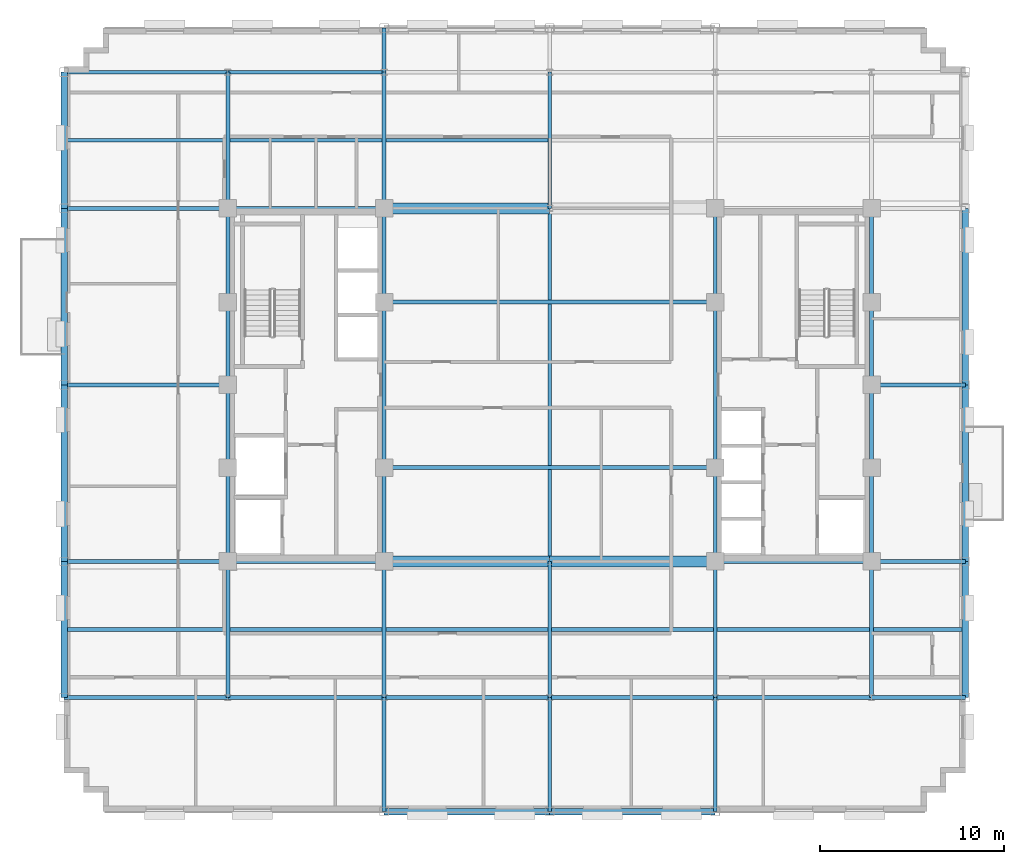
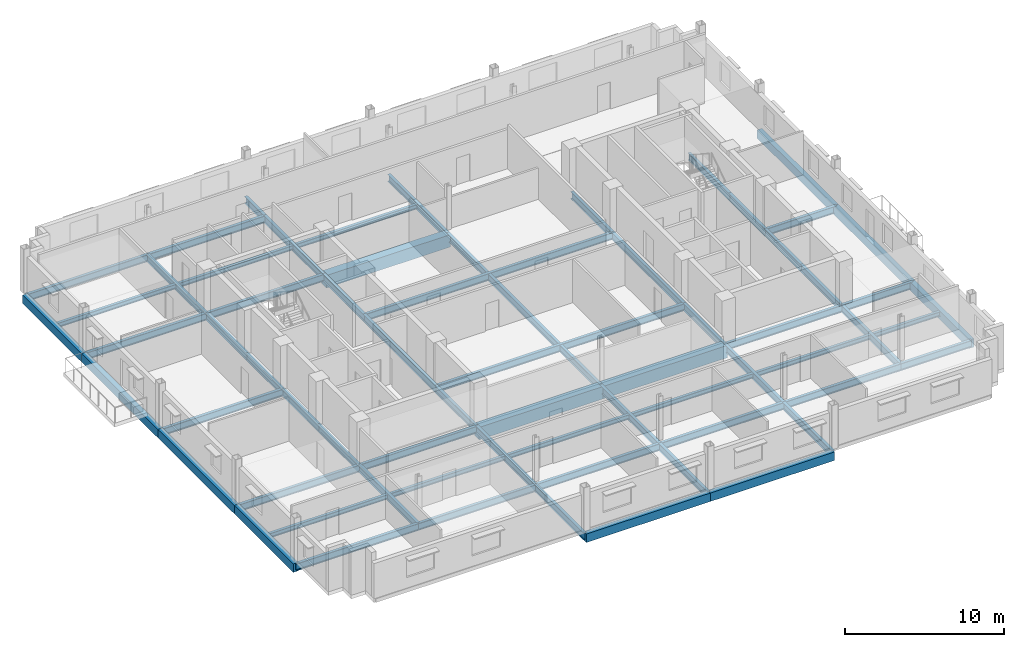
# One storey, part 5 of 15: 66 beams.
"""IFC4 building model written with IfcOpenShell, lengths in metres."""

from ifc_helpers import new_model, si_unit, direction, frame, origin, origin_2d, place, context, subcontext, project, spatial, rectangle, i_section, extrude, material, material_profile, profile_set, type_object, element, save


model = new_model("IFC4")

# Units and contexts
model_context = context("Model", 3, precision=1e-05, world=origin(), true_north=direction((0.0, 1.0)))
body_context = subcontext(model_context, "Body", "Model", "MODEL_VIEW")
ifc_project = project(units=[si_unit("LENGTHUNIT", "METRE"), si_unit("AREAUNIT", "SQUARE_METRE"), si_unit("VOLUMEUNIT", "CUBIC_METRE"), si_unit("PLANEANGLEUNIT", "RADIAN"), si_unit("MASSUNIT", "GRAM", prefix="KILO")], contexts=[model_context])

# Site, building, storey
site_placement = place(None, origin())
site = spatial("IfcSite", under=ifc_project, at=site_placement, CompositionType="ELEMENT")
building_placement = place(site_placement, origin())
building = spatial("IfcBuilding", under=site, at=building_placement, Name="Nuvemarco Arch Tower", CompositionType="ELEMENT")
storey_placement = place(building_placement, frame((0.0, 0.0, 194.550048828125)))
storey = spatial("IfcBuildingStorey", under=building, at=storey_placement, Name="L51", CompositionType="ELEMENT", Elevation=194.550048828125)

# Beams
ifc_material_1 = material(Name="Concrete C60/75", Category="concrete")
ifc_material_profile_1 = material_profile(ifc_material_1, rectangle(XDim=0.60009765625, YDim=0.949951171875, at=origin_2d()), Name="RC-BM-600x950")
ifc_profile_set_1 = profile_set([ifc_material_profile_1], Name="Concrete C60/75")
beam_type_1 = type_object("IfcBeamType", Name="BM-COUP-RC", PredefinedType="LINTEL", material=ifc_profile_set_1)
for number, where, z_axis, x_axis, name in (
    (1, (-9.0, -9.60009765625, -0.755126953125), (1.0, 0.0, 0.0), (0.0, 1.0, 0.0), "L51 structural beam BGEW_L51_0_-9.6_-9.0"),
    (2, (0.0, -9.60009765625, -0.755126953125), (1.0, 0.0, 0.0), (0.0, 1.0, 0.0), "L51 structural beam BGEW_L51_0_-9.6_+0.0"),
    (3, (-9.0, 9.60009765625, -0.755126953125), (1.0, 0.0, 0.0), (0.0, 1.0, 0.0), "L51 structural beam BGEW_L51_0_+9.6_-9.0"),
):
    element("IfcBeam", number, at=place(storey_placement, frame(where, z_axis=z_axis, x_axis=x_axis)), inside=storey, type_object=beam_type_1, Name=name, PredefinedType="LINTEL", context=body_context, shape_type="SweptSolid", body=[
        extrude(rectangle(XDim=0.60009765625, YDim=0.949951171875, at=origin_2d()), origin(), (0.0, 0.0, 1.0), 9.0),
    ])
ifc_material_2 = material(Name="Steel S355", Category="steel")
ifc_material_profile_2 = material_profile(ifc_material_2, i_section(OverallWidth=0.2109375, OverallDepth=0.5390625, WebThickness=0.01171875, FlangeThickness=0.018798828125, FilletRadius=0.01611328125, at=origin_2d()), Name="W530x109")
ifc_profile_set_2 = profile_set([ifc_material_profile_2], Name="Steel S355")
beam_type_2 = type_object("IfcBeamType", Name="BM-GIRD-530", PredefinedType="BEAM", material=ifc_profile_set_2)
beam_1_placement = place(storey_placement, frame((-17.5, -17.0, -0.549560546875), z_axis=(0.0, 1.0, 0.0), x_axis=(-1.0, 0.0, 0.0)))
element("IfcBeam", 4, at=beam_1_placement, inside=storey, type_object=beam_type_2, Name="L51 structural beam BGNS_L51_0_-17.5_-17.0", PredefinedType="BEAM", context=body_context, shape_type="SweptSolid", body=[
    extrude(i_section(OverallWidth=0.2109375, OverallDepth=0.5390625, WebThickness=0.01171875, FlangeThickness=0.018798828125, FilletRadius=0.01611328125, at=origin_2d()), origin(), (0.0, 0.0, 1.0), 7.39990234375),
])
beam_2_placement = place(storey_placement, frame((-17.5, -9.60009765625, -0.549560546875), z_axis=(0.0, 1.0, 0.0), x_axis=(-1.0, 0.0, 0.0)))
element("IfcBeam", 5, at=beam_2_placement, inside=storey, type_object=beam_type_2, Name="L51 structural beam BGNS_L51_0_-17.5_-9.6", PredefinedType="BEAM", context=body_context, shape_type="SweptSolid", body=[
    extrude(i_section(OverallWidth=0.2109375, OverallDepth=0.5390625, WebThickness=0.01171875, FlangeThickness=0.018798828125, FilletRadius=0.01611328125, at=origin_2d()), origin(), (0.0, 0.0, 1.0), 5.10009765625),
])
for number, where, z_axis, x_axis, name in (
    (6, (-17.5, -4.5, -0.549560546875), (0.0, 1.0, 0.0), (-1.0, 0.0, 0.0), "L51 structural beam BGNS_L51_0_-17.5_-4.5"),
    (7, (-17.5, 0.0, -0.549560546875), (0.0, 1.0, 0.0), (-1.0, 0.0, 0.0), "L51 structural beam BGNS_L51_0_-17.5_+0.0"),
):
    element("IfcBeam", number, at=place(storey_placement, frame(where, z_axis=z_axis, x_axis=x_axis)), inside=storey, type_object=beam_type_2, Name=name, PredefinedType="BEAM", context=body_context, shape_type="SweptSolid", body=[
        extrude(i_section(OverallWidth=0.2109375, OverallDepth=0.5390625, WebThickness=0.01171875, FlangeThickness=0.018798828125, FilletRadius=0.01611328125, at=origin_2d()), origin(), (0.0, 0.0, 1.0), 4.5),
    ])
beam_3_placement = place(storey_placement, frame((-17.5, 4.5, -0.549560546875), z_axis=(0.0, 1.0, 0.0), x_axis=(-1.0, 0.0, 0.0)))
element("IfcBeam", 8, at=beam_3_placement, inside=storey, type_object=beam_type_2, Name="L51 structural beam BGNS_L51_0_-17.5_+4.5", PredefinedType="BEAM", context=body_context, shape_type="SweptSolid", body=[
    extrude(i_section(OverallWidth=0.2109375, OverallDepth=0.5390625, WebThickness=0.01171875, FlangeThickness=0.018798828125, FilletRadius=0.01611328125, at=origin_2d()), origin(), (0.0, 0.0, 1.0), 5.10009765625),
])
beam_4_placement = place(storey_placement, frame((-17.5, 9.60009765625, -0.549560546875), z_axis=(0.0, 1.0, 0.0), x_axis=(-1.0, 0.0, 0.0)))
element("IfcBeam", 9, at=beam_4_placement, inside=storey, type_object=beam_type_2, Name="L51 structural beam BGNS_L51_0_-17.5_+9.6", PredefinedType="BEAM", context=body_context, shape_type="SweptSolid", body=[
    extrude(i_section(OverallWidth=0.2109375, OverallDepth=0.5390625, WebThickness=0.01171875, FlangeThickness=0.018798828125, FilletRadius=0.01611328125, at=origin_2d()), origin(), (0.0, 0.0, 1.0), 7.39990234375),
])
beam_5_placement = place(storey_placement, frame((-9.0, -23.199951171875, -0.549560546875), z_axis=(0.0, 1.0, 0.0), x_axis=(-1.0, 0.0, 0.0)))
element("IfcBeam", 10, at=beam_5_placement, inside=storey, type_object=beam_type_2, Name="L51 structural beam BGNS_L51_0_-9.0_-23.2", PredefinedType="BEAM", context=body_context, shape_type="SweptSolid", body=[
    extrude(i_section(OverallWidth=0.2109375, OverallDepth=0.5390625, WebThickness=0.01171875, FlangeThickness=0.018798828125, FilletRadius=0.01611328125, at=origin_2d()), origin(), (0.0, 0.0, 1.0), 6.199951171875),
])
beam_6_placement = place(storey_placement, frame((-9.0, -17.0, -0.549560546875), z_axis=(0.0, 1.0, 0.0), x_axis=(-1.0, 0.0, 0.0)))
element("IfcBeam", 11, at=beam_6_placement, inside=storey, type_object=beam_type_2, Name="L51 structural beam BGNS_L51_0_-9.0_-17.0", PredefinedType="BEAM", context=body_context, shape_type="SweptSolid", body=[
    extrude(i_section(OverallWidth=0.2109375, OverallDepth=0.5390625, WebThickness=0.01171875, FlangeThickness=0.018798828125, FilletRadius=0.01611328125, at=origin_2d()), origin(), (0.0, 0.0, 1.0), 7.39990234375),
])
beam_7_placement = place(storey_placement, frame((-9.0, -9.60009765625, -0.549560546875), z_axis=(0.0, 1.0, 0.0), x_axis=(-1.0, 0.0, 0.0)))
element("IfcBeam", 12, at=beam_7_placement, inside=storey, type_object=beam_type_2, Name="L51 structural beam BGNS_L51_0_-9.0_-9.6", PredefinedType="BEAM", context=body_context, shape_type="SweptSolid", body=[
    extrude(i_section(OverallWidth=0.2109375, OverallDepth=0.5390625, WebThickness=0.01171875, FlangeThickness=0.018798828125, FilletRadius=0.01611328125, at=origin_2d()), origin(), (0.0, 0.0, 1.0), 5.10009765625),
])
beam_8_placement = place(storey_placement, frame((-9.0, -4.5, -0.549560546875), z_axis=(0.0, 1.0, 0.0), x_axis=(-1.0, 0.0, 0.0)))
element("IfcBeam", 13, at=beam_8_placement, inside=storey, type_object=beam_type_2, Name="L51 structural beam BGNS_L51_0_-9.0_-4.5", PredefinedType="BEAM", context=body_context, shape_type="SweptSolid", body=[
    extrude(i_section(OverallWidth=0.2109375, OverallDepth=0.5390625, WebThickness=0.01171875, FlangeThickness=0.018798828125, FilletRadius=0.01611328125, at=origin_2d()), origin(), (0.0, 0.0, 1.0), 9.0),
])
beam_9_placement = place(storey_placement, frame((-9.0, 4.5, -0.549560546875), z_axis=(0.0, 1.0, 0.0), x_axis=(-1.0, 0.0, 0.0)))
element("IfcBeam", 14, at=beam_9_placement, inside=storey, type_object=beam_type_2, Name="L51 structural beam BGNS_L51_0_-9.0_+4.5", PredefinedType="BEAM", context=body_context, shape_type="SweptSolid", body=[
    extrude(i_section(OverallWidth=0.2109375, OverallDepth=0.5390625, WebThickness=0.01171875, FlangeThickness=0.018798828125, FilletRadius=0.01611328125, at=origin_2d()), origin(), (0.0, 0.0, 1.0), 5.10009765625),
])
beam_10_placement = place(storey_placement, frame((-9.0, 9.60009765625, -0.549560546875), z_axis=(0.0, 1.0, 0.0), x_axis=(-1.0, 0.0, 0.0)))
element("IfcBeam", 15, at=beam_10_placement, inside=storey, type_object=beam_type_2, Name="L51 structural beam BGNS_L51_0_-9.0_+9.6", PredefinedType="BEAM", context=body_context, shape_type="SweptSolid", body=[
    extrude(i_section(OverallWidth=0.2109375, OverallDepth=0.5390625, WebThickness=0.01171875, FlangeThickness=0.018798828125, FilletRadius=0.01611328125, at=origin_2d()), origin(), (0.0, 0.0, 1.0), 7.39990234375),
])
beam_11_placement = place(storey_placement, frame((-9.0, 17.0, -0.549560546875), z_axis=(0.0, 1.0, 0.0), x_axis=(-1.0, 0.0, 0.0)))
element("IfcBeam", 16, at=beam_11_placement, inside=storey, type_object=beam_type_2, Name="L51 structural beam BGNS_L51_0_-9.0_+17.0", PredefinedType="BEAM", context=body_context, shape_type="SweptSolid", body=[
    extrude(i_section(OverallWidth=0.2109375, OverallDepth=0.5390625, WebThickness=0.01171875, FlangeThickness=0.018798828125, FilletRadius=0.01611328125, at=origin_2d()), origin(), (0.0, 0.0, 1.0), 2.39990234375),
])
beam_12_placement = place(storey_placement, frame((0.0, -23.199951171875, -0.549560546875), z_axis=(0.0, 1.0, 0.0), x_axis=(-1.0, 0.0, 0.0)))
element("IfcBeam", 17, at=beam_12_placement, inside=storey, type_object=beam_type_2, Name="L51 structural beam BGNS_L51_0_+0.0_-23.2", PredefinedType="BEAM", context=body_context, shape_type="SweptSolid", body=[
    extrude(i_section(OverallWidth=0.2109375, OverallDepth=0.5390625, WebThickness=0.01171875, FlangeThickness=0.018798828125, FilletRadius=0.01611328125, at=origin_2d()), origin(), (0.0, 0.0, 1.0), 6.199951171875),
])
beam_13_placement = place(storey_placement, frame((0.0, -17.0, -0.549560546875), z_axis=(0.0, 1.0, 0.0), x_axis=(-1.0, 0.0, 0.0)))
element("IfcBeam", 18, at=beam_13_placement, inside=storey, type_object=beam_type_2, Name="L51 structural beam BGNS_L51_0_+0.0_-17.0", PredefinedType="BEAM", context=body_context, shape_type="SweptSolid", body=[
    extrude(i_section(OverallWidth=0.2109375, OverallDepth=0.5390625, WebThickness=0.01171875, FlangeThickness=0.018798828125, FilletRadius=0.01611328125, at=origin_2d()), origin(), (0.0, 0.0, 1.0), 7.39990234375),
])
beam_14_placement = place(storey_placement, frame((0.0, -9.60009765625, -0.549560546875), z_axis=(0.0, 1.0, 0.0), x_axis=(-1.0, 0.0, 0.0)))
element("IfcBeam", 19, at=beam_14_placement, inside=storey, type_object=beam_type_2, Name="L51 structural beam BGNS_L51_0_+0.0_-9.6", PredefinedType="BEAM", context=body_context, shape_type="SweptSolid", body=[
    extrude(i_section(OverallWidth=0.2109375, OverallDepth=0.5390625, WebThickness=0.01171875, FlangeThickness=0.018798828125, FilletRadius=0.01611328125, at=origin_2d()), origin(), (0.0, 0.0, 1.0), 19.2001953125),
])
beam_15_placement = place(storey_placement, frame((0.0, 9.60009765625, -0.549560546875), z_axis=(0.0, 1.0, 0.0), x_axis=(-1.0, 0.0, 0.0)))
element("IfcBeam", 20, at=beam_15_placement, inside=storey, type_object=beam_type_2, Name="L51 structural beam BGNS_L51_0_+0.0_+9.6", PredefinedType="BEAM", context=body_context, shape_type="SweptSolid", body=[
    extrude(i_section(OverallWidth=0.2109375, OverallDepth=0.5390625, WebThickness=0.01171875, FlangeThickness=0.018798828125, FilletRadius=0.01611328125, at=origin_2d()), origin(), (0.0, 0.0, 1.0), 7.39990234375),
])
beam_16_placement = place(storey_placement, frame((9.0, -23.199951171875, -0.549560546875), z_axis=(0.0, 1.0, 0.0), x_axis=(-1.0, 0.0, 0.0)))
element("IfcBeam", 21, at=beam_16_placement, inside=storey, type_object=beam_type_2, Name="L51 structural beam BGNS_L51_0_+9.0_-23.2", PredefinedType="BEAM", context=body_context, shape_type="SweptSolid", body=[
    extrude(i_section(OverallWidth=0.2109375, OverallDepth=0.5390625, WebThickness=0.01171875, FlangeThickness=0.018798828125, FilletRadius=0.01611328125, at=origin_2d()), origin(), (0.0, 0.0, 1.0), 6.199951171875),
])
beam_17_placement = place(storey_placement, frame((9.0, -17.0, -0.549560546875), z_axis=(0.0, 1.0, 0.0), x_axis=(-1.0, 0.0, 0.0)))
element("IfcBeam", 22, at=beam_17_placement, inside=storey, type_object=beam_type_2, Name="L51 structural beam BGNS_L51_0_+9.0_-17.0", PredefinedType="BEAM", context=body_context, shape_type="SweptSolid", body=[
    extrude(i_section(OverallWidth=0.2109375, OverallDepth=0.5390625, WebThickness=0.01171875, FlangeThickness=0.018798828125, FilletRadius=0.01611328125, at=origin_2d()), origin(), (0.0, 0.0, 1.0), 7.39990234375),
])
beam_18_placement = place(storey_placement, frame((9.0, -9.60009765625, -0.549560546875), z_axis=(0.0, 1.0, 0.0), x_axis=(-1.0, 0.0, 0.0)))
element("IfcBeam", 23, at=beam_18_placement, inside=storey, type_object=beam_type_2, Name="L51 structural beam BGNS_L51_0_+9.0_-9.6", PredefinedType="BEAM", context=body_context, shape_type="SweptSolid", body=[
    extrude(i_section(OverallWidth=0.2109375, OverallDepth=0.5390625, WebThickness=0.01171875, FlangeThickness=0.018798828125, FilletRadius=0.01611328125, at=origin_2d()), origin(), (0.0, 0.0, 1.0), 5.10009765625),
])
beam_19_placement = place(storey_placement, frame((9.0, -4.5, -0.549560546875), z_axis=(0.0, 1.0, 0.0), x_axis=(-1.0, 0.0, 0.0)))
element("IfcBeam", 24, at=beam_19_placement, inside=storey, type_object=beam_type_2, Name="L51 structural beam BGNS_L51_0_+9.0_-4.5", PredefinedType="BEAM", context=body_context, shape_type="SweptSolid", body=[
    extrude(i_section(OverallWidth=0.2109375, OverallDepth=0.5390625, WebThickness=0.01171875, FlangeThickness=0.018798828125, FilletRadius=0.01611328125, at=origin_2d()), origin(), (0.0, 0.0, 1.0), 9.0),
])
beam_20_placement = place(storey_placement, frame((9.0, 4.5, -0.549560546875), z_axis=(0.0, 1.0, 0.0), x_axis=(-1.0, 0.0, 0.0)))
element("IfcBeam", 25, at=beam_20_placement, inside=storey, type_object=beam_type_2, Name="L51 structural beam BGNS_L51_0_+9.0_+4.5", PredefinedType="BEAM", context=body_context, shape_type="SweptSolid", body=[
    extrude(i_section(OverallWidth=0.2109375, OverallDepth=0.5390625, WebThickness=0.01171875, FlangeThickness=0.018798828125, FilletRadius=0.01611328125, at=origin_2d()), origin(), (0.0, 0.0, 1.0), 5.10009765625),
])
beam_21_placement = place(storey_placement, frame((17.5, -17.0, -0.549560546875), z_axis=(0.0, 1.0, 0.0), x_axis=(-1.0, 0.0, 0.0)))
element("IfcBeam", 26, at=beam_21_placement, inside=storey, type_object=beam_type_2, Name="L51 structural beam BGNS_L51_0_+17.5_-17.0", PredefinedType="BEAM", context=body_context, shape_type="SweptSolid", body=[
    extrude(i_section(OverallWidth=0.2109375, OverallDepth=0.5390625, WebThickness=0.01171875, FlangeThickness=0.018798828125, FilletRadius=0.01611328125, at=origin_2d()), origin(), (0.0, 0.0, 1.0), 7.39990234375),
])
beam_22_placement = place(storey_placement, frame((17.5, -9.60009765625, -0.549560546875), z_axis=(0.0, 1.0, 0.0), x_axis=(-1.0, 0.0, 0.0)))
element("IfcBeam", 27, at=beam_22_placement, inside=storey, type_object=beam_type_2, Name="L51 structural beam BGNS_L51_0_+17.5_-9.6", PredefinedType="BEAM", context=body_context, shape_type="SweptSolid", body=[
    extrude(i_section(OverallWidth=0.2109375, OverallDepth=0.5390625, WebThickness=0.01171875, FlangeThickness=0.018798828125, FilletRadius=0.01611328125, at=origin_2d()), origin(), (0.0, 0.0, 1.0), 5.10009765625),
])
for number, where, z_axis, x_axis, name in (
    (28, (17.5, -4.5, -0.549560546875), (0.0, 1.0, 0.0), (-1.0, 0.0, 0.0), "L51 structural beam BGNS_L51_0_+17.5_-4.5"),
    (29, (17.5, 0.0, -0.549560546875), (0.0, 1.0, 0.0), (-1.0, 0.0, 0.0), "L51 structural beam BGNS_L51_0_+17.5_+0.0"),
):
    element("IfcBeam", number, at=place(storey_placement, frame(where, z_axis=z_axis, x_axis=x_axis)), inside=storey, type_object=beam_type_2, Name=name, PredefinedType="BEAM", context=body_context, shape_type="SweptSolid", body=[
        extrude(i_section(OverallWidth=0.2109375, OverallDepth=0.5390625, WebThickness=0.01171875, FlangeThickness=0.018798828125, FilletRadius=0.01611328125, at=origin_2d()), origin(), (0.0, 0.0, 1.0), 4.5),
    ])
beam_23_placement = place(storey_placement, frame((17.5, 4.5, -0.549560546875), z_axis=(0.0, 1.0, 0.0), x_axis=(-1.0, 0.0, 0.0)))
element("IfcBeam", 30, at=beam_23_placement, inside=storey, type_object=beam_type_2, Name="L51 structural beam BGNS_L51_0_+17.5_+4.5", PredefinedType="BEAM", context=body_context, shape_type="SweptSolid", body=[
    extrude(i_section(OverallWidth=0.2109375, OverallDepth=0.5390625, WebThickness=0.01171875, FlangeThickness=0.018798828125, FilletRadius=0.01611328125, at=origin_2d()), origin(), (0.0, 0.0, 1.0), 5.10009765625),
])
beam_24_placement = place(storey_placement, frame((-26.39990234375, -17.0, -0.549560546875), z_axis=(1.0, 0.0, 0.0), x_axis=(0.0, 1.0, 0.0)))
element("IfcBeam", 31, at=beam_24_placement, inside=storey, type_object=beam_type_2, Name="L51 structural beam BGEW_L51_0_-17.0_-26.4", PredefinedType="BEAM", context=body_context, shape_type="SweptSolid", body=[
    extrude(i_section(OverallWidth=0.2109375, OverallDepth=0.5390625, WebThickness=0.01171875, FlangeThickness=0.018798828125, FilletRadius=0.01611328125, at=origin_2d()), origin(), (0.0, 0.0, 1.0), 8.89990234375),
])
beam_25_placement = place(storey_placement, frame((-17.5, -17.0, -0.549560546875), z_axis=(1.0, 0.0, 0.0), x_axis=(0.0, 1.0, 0.0)))
element("IfcBeam", 32, at=beam_25_placement, inside=storey, type_object=beam_type_2, Name="L51 structural beam BGEW_L51_0_-17.0_-17.5", PredefinedType="BEAM", context=body_context, shape_type="SweptSolid", body=[
    extrude(i_section(OverallWidth=0.2109375, OverallDepth=0.5390625, WebThickness=0.01171875, FlangeThickness=0.018798828125, FilletRadius=0.01611328125, at=origin_2d()), origin(), (0.0, 0.0, 1.0), 8.5),
])
for number, where, z_axis, x_axis, name in (
    (33, (-9.0, -17.0, -0.549560546875), (1.0, 0.0, 0.0), (0.0, 1.0, 0.0), "L51 structural beam BGEW_L51_0_-17.0_-9.0"),
    (34, (0.0, -17.0, -0.549560546875), (1.0, 0.0, 0.0), (0.0, 1.0, 0.0), "L51 structural beam BGEW_L51_0_-17.0_+0.0"),
):
    element("IfcBeam", number, at=place(storey_placement, frame(where, z_axis=z_axis, x_axis=x_axis)), inside=storey, type_object=beam_type_2, Name=name, PredefinedType="BEAM", context=body_context, shape_type="SweptSolid", body=[
        extrude(i_section(OverallWidth=0.2109375, OverallDepth=0.5390625, WebThickness=0.01171875, FlangeThickness=0.018798828125, FilletRadius=0.01611328125, at=origin_2d()), origin(), (0.0, 0.0, 1.0), 9.0),
    ])
beam_26_placement = place(storey_placement, frame((9.0, -17.0, -0.549560546875), z_axis=(1.0, 0.0, 0.0), x_axis=(0.0, 1.0, 0.0)))
element("IfcBeam", 35, at=beam_26_placement, inside=storey, type_object=beam_type_2, Name="L51 structural beam BGEW_L51_0_-17.0_+9.0", PredefinedType="BEAM", context=body_context, shape_type="SweptSolid", body=[
    extrude(i_section(OverallWidth=0.2109375, OverallDepth=0.5390625, WebThickness=0.01171875, FlangeThickness=0.018798828125, FilletRadius=0.01611328125, at=origin_2d()), origin(), (0.0, 0.0, 1.0), 8.5),
])
beam_27_placement = place(storey_placement, frame((17.5, -17.0, -0.549560546875), z_axis=(1.0, 0.0, 0.0), x_axis=(0.0, 1.0, 0.0)))
element("IfcBeam", 36, at=beam_27_placement, inside=storey, type_object=beam_type_2, Name="L51 structural beam BGEW_L51_0_-17.0_+17.5", PredefinedType="BEAM", context=body_context, shape_type="SweptSolid", body=[
    extrude(i_section(OverallWidth=0.2109375, OverallDepth=0.5390625, WebThickness=0.01171875, FlangeThickness=0.018798828125, FilletRadius=0.01611328125, at=origin_2d()), origin(), (0.0, 0.0, 1.0), 5.10009765625),
])
beam_28_placement = place(storey_placement, frame((-26.39990234375, -9.60009765625, -0.549560546875), z_axis=(1.0, 0.0, 0.0), x_axis=(0.0, 1.0, 0.0)))
element("IfcBeam", 37, at=beam_28_placement, inside=storey, type_object=beam_type_2, Name="L51 structural beam BGEW_L51_0_-9.6_-26.4", PredefinedType="BEAM", context=body_context, shape_type="SweptSolid", body=[
    extrude(i_section(OverallWidth=0.2109375, OverallDepth=0.5390625, WebThickness=0.01171875, FlangeThickness=0.018798828125, FilletRadius=0.01611328125, at=origin_2d()), origin(), (0.0, 0.0, 1.0), 8.89990234375),
])
for number, where, z_axis, x_axis, name in (
    (38, (-17.5, -9.60009765625, -0.549560546875), (1.0, 0.0, 0.0), (0.0, 1.0, 0.0), "L51 structural beam BGEW_L51_0_-9.6_-17.5"),
    (39, (9.0, -9.60009765625, -0.549560546875), (1.0, 0.0, 0.0), (0.0, 1.0, 0.0), "L51 structural beam BGEW_L51_0_-9.6_+9.0"),
):
    element("IfcBeam", number, at=place(storey_placement, frame(where, z_axis=z_axis, x_axis=x_axis)), inside=storey, type_object=beam_type_2, Name=name, PredefinedType="BEAM", context=body_context, shape_type="SweptSolid", body=[
        extrude(i_section(OverallWidth=0.2109375, OverallDepth=0.5390625, WebThickness=0.01171875, FlangeThickness=0.018798828125, FilletRadius=0.01611328125, at=origin_2d()), origin(), (0.0, 0.0, 1.0), 8.5),
    ])
beam_29_placement = place(storey_placement, frame((17.5, -9.60009765625, -0.549560546875), z_axis=(1.0, 0.0, 0.0), x_axis=(0.0, 1.0, 0.0)))
element("IfcBeam", 40, at=beam_29_placement, inside=storey, type_object=beam_type_2, Name="L51 structural beam BGEW_L51_0_-9.6_+17.5", PredefinedType="BEAM", context=body_context, shape_type="SweptSolid", body=[
    extrude(i_section(OverallWidth=0.2109375, OverallDepth=0.5390625, WebThickness=0.01171875, FlangeThickness=0.018798828125, FilletRadius=0.01611328125, at=origin_2d()), origin(), (0.0, 0.0, 1.0), 5.10009765625),
])
beam_30_placement = place(storey_placement, frame((-9.0, -4.5, -0.549560546875), z_axis=(1.0, 0.0, 0.0), x_axis=(0.0, 1.0, 0.0)))
element("IfcBeam", 41, at=beam_30_placement, inside=storey, type_object=beam_type_2, Name="L51 structural beam BGEW_L51_0_-4.5_-9.0", PredefinedType="BEAM", context=body_context, shape_type="SweptSolid", body=[
    extrude(i_section(OverallWidth=0.2109375, OverallDepth=0.5390625, WebThickness=0.01171875, FlangeThickness=0.018798828125, FilletRadius=0.01611328125, at=origin_2d()), origin(), (0.0, 0.0, 1.0), 18.0),
])
beam_31_placement = place(storey_placement, frame((-26.39990234375, 0.0, -0.549560546875), z_axis=(1.0, 0.0, 0.0), x_axis=(0.0, 1.0, 0.0)))
element("IfcBeam", 42, at=beam_31_placement, inside=storey, type_object=beam_type_2, Name="L51 structural beam BGEW_L51_0_+0.0_-26.4", PredefinedType="BEAM", context=body_context, shape_type="SweptSolid", body=[
    extrude(i_section(OverallWidth=0.2109375, OverallDepth=0.5390625, WebThickness=0.01171875, FlangeThickness=0.018798828125, FilletRadius=0.01611328125, at=origin_2d()), origin(), (0.0, 0.0, 1.0), 8.89990234375),
])
beam_32_placement = place(storey_placement, frame((17.5, 0.0, -0.549560546875), z_axis=(1.0, 0.0, 0.0), x_axis=(0.0, 1.0, 0.0)))
element("IfcBeam", 43, at=beam_32_placement, inside=storey, type_object=beam_type_2, Name="L51 structural beam BGEW_L51_0_+0.0_+17.5", PredefinedType="BEAM", context=body_context, shape_type="SweptSolid", body=[
    extrude(i_section(OverallWidth=0.2109375, OverallDepth=0.5390625, WebThickness=0.01171875, FlangeThickness=0.018798828125, FilletRadius=0.01611328125, at=origin_2d()), origin(), (0.0, 0.0, 1.0), 5.10009765625),
])
beam_33_placement = place(storey_placement, frame((-9.0, 4.5, -0.549560546875), z_axis=(1.0, 0.0, 0.0), x_axis=(0.0, 1.0, 0.0)))
element("IfcBeam", 44, at=beam_33_placement, inside=storey, type_object=beam_type_2, Name="L51 structural beam BGEW_L51_0_+4.5_-9.0", PredefinedType="BEAM", context=body_context, shape_type="SweptSolid", body=[
    extrude(i_section(OverallWidth=0.2109375, OverallDepth=0.5390625, WebThickness=0.01171875, FlangeThickness=0.018798828125, FilletRadius=0.01611328125, at=origin_2d()), origin(), (0.0, 0.0, 1.0), 18.0),
])
beam_34_placement = place(storey_placement, frame((-26.39990234375, 9.60009765625, -0.549560546875), z_axis=(1.0, 0.0, 0.0), x_axis=(0.0, 1.0, 0.0)))
element("IfcBeam", 45, at=beam_34_placement, inside=storey, type_object=beam_type_2, Name="L51 structural beam BGEW_L51_0_+9.6_-26.4", PredefinedType="BEAM", context=body_context, shape_type="SweptSolid", body=[
    extrude(i_section(OverallWidth=0.2109375, OverallDepth=0.5390625, WebThickness=0.01171875, FlangeThickness=0.018798828125, FilletRadius=0.01611328125, at=origin_2d()), origin(), (0.0, 0.0, 1.0), 8.89990234375),
])
beam_35_placement = place(storey_placement, frame((-17.5, 9.60009765625, -0.549560546875), z_axis=(1.0, 0.0, 0.0), x_axis=(0.0, 1.0, 0.0)))
element("IfcBeam", 46, at=beam_35_placement, inside=storey, type_object=beam_type_2, Name="L51 structural beam BGEW_L51_0_+9.6_-17.5", PredefinedType="BEAM", context=body_context, shape_type="SweptSolid", body=[
    extrude(i_section(OverallWidth=0.2109375, OverallDepth=0.5390625, WebThickness=0.01171875, FlangeThickness=0.018798828125, FilletRadius=0.01611328125, at=origin_2d()), origin(), (0.0, 0.0, 1.0), 8.5),
])
beam_36_placement = place(storey_placement, frame((-26.39990234375, 17.0, -0.549560546875), z_axis=(1.0, 0.0, 0.0), x_axis=(0.0, 1.0, 0.0)))
element("IfcBeam", 47, at=beam_36_placement, inside=storey, type_object=beam_type_2, Name="L51 structural beam BGEW_L51_0_+17.0_-26.4", PredefinedType="BEAM", context=body_context, shape_type="SweptSolid", body=[
    extrude(i_section(OverallWidth=0.2109375, OverallDepth=0.5390625, WebThickness=0.01171875, FlangeThickness=0.018798828125, FilletRadius=0.01611328125, at=origin_2d()), origin(), (0.0, 0.0, 1.0), 8.89990234375),
])
beam_37_placement = place(storey_placement, frame((-17.5, 17.0, -0.549560546875), z_axis=(1.0, 0.0, 0.0), x_axis=(0.0, 1.0, 0.0)))
element("IfcBeam", 48, at=beam_37_placement, inside=storey, type_object=beam_type_2, Name="L51 structural beam BGEW_L51_0_+17.0_-17.5", PredefinedType="BEAM", context=body_context, shape_type="SweptSolid", body=[
    extrude(i_section(OverallWidth=0.2109375, OverallDepth=0.5390625, WebThickness=0.01171875, FlangeThickness=0.018798828125, FilletRadius=0.01611328125, at=origin_2d()), origin(), (0.0, 0.0, 1.0), 8.5),
])
ifc_material_profile_3 = material_profile(ifc_material_2, i_section(OverallWidth=0.202880859375, OverallDepth=0.346923828125, WebThickness=0.0078125, FlangeThickness=0.013427734375, FilletRadius=0.014892578125, at=origin_2d()), Name="W360x64")
ifc_profile_set_3 = profile_set([ifc_material_profile_3], Name="Steel S355")
beam_type_3 = type_object("IfcBeamType", Name="BM-JOIST-360", PredefinedType="JOIST", material=ifc_profile_set_3)
beam_38_placement = place(storey_placement, frame((-26.22509765625, -13.300048828125, -0.45361328125), z_axis=(1.0, 0.0, 0.0), x_axis=(0.0, 1.0, 0.0)))
element("IfcBeam", 49, at=beam_38_placement, inside=storey, type_object=beam_type_3, Name="L51 structural beam BJ_L51_0_-13.3_-26.4", PredefinedType="JOIST", context=body_context, shape_type="SweptSolid", body=[
    extrude(i_section(OverallWidth=0.202880859375, OverallDepth=0.346923828125, WebThickness=0.0078125, FlangeThickness=0.013427734375, FilletRadius=0.014892578125, at=origin_2d()), origin(), (0.0, 0.0, 1.0), 8.61962890625),
])
beam_39_placement = place(storey_placement, frame((-17.39453125, -13.300048828125, -0.45361328125), z_axis=(1.0, 0.0, 0.0), x_axis=(0.0, 1.0, 0.0)))
element("IfcBeam", 50, at=beam_39_placement, inside=storey, type_object=beam_type_3, Name="L51 structural beam BJ_L51_0_-13.3_-17.5", PredefinedType="JOIST", context=body_context, shape_type="SweptSolid", body=[
    extrude(i_section(OverallWidth=0.202880859375, OverallDepth=0.346923828125, WebThickness=0.0078125, FlangeThickness=0.013427734375, FilletRadius=0.014892578125, at=origin_2d()), origin(), (0.0, 0.0, 1.0), 8.2890625),
])
for number, where, z_axis, x_axis, name in (
    (51, (-8.89453125, -13.300048828125, -0.45361328125), (1.0, 0.0, 0.0), (0.0, 1.0, 0.0), "L51 structural beam BJ_L51_0_-13.3_-9.0"),
    (52, (0.10546875, -13.300048828125, -0.45361328125), (1.0, 0.0, 0.0), (0.0, 1.0, 0.0), "L51 structural beam BJ_L51_0_-13.3_+0.0"),
):
    element("IfcBeam", number, at=place(storey_placement, frame(where, z_axis=z_axis, x_axis=x_axis)), inside=storey, type_object=beam_type_3, Name=name, PredefinedType="JOIST", context=body_context, shape_type="SweptSolid", body=[
        extrude(i_section(OverallWidth=0.202880859375, OverallDepth=0.346923828125, WebThickness=0.0078125, FlangeThickness=0.013427734375, FilletRadius=0.014892578125, at=origin_2d()), origin(), (0.0, 0.0, 1.0), 8.7890625),
    ])
beam_40_placement = place(storey_placement, frame((9.10546875, -13.300048828125, -0.45361328125), z_axis=(1.0, 0.0, 0.0), x_axis=(0.0, 1.0, 0.0)))
element("IfcBeam", 53, at=beam_40_placement, inside=storey, type_object=beam_type_3, Name="L51 structural beam BJ_L51_0_-13.3_+9.0", PredefinedType="JOIST", context=body_context, shape_type="SweptSolid", body=[
    extrude(i_section(OverallWidth=0.202880859375, OverallDepth=0.346923828125, WebThickness=0.0078125, FlangeThickness=0.013427734375, FilletRadius=0.014892578125, at=origin_2d()), origin(), (0.0, 0.0, 1.0), 8.2890625),
])
beam_41_placement = place(storey_placement, frame((17.60546875, -13.300048828125, -0.45361328125), z_axis=(1.0, 0.0, 0.0), x_axis=(0.0, 1.0, 0.0)))
element("IfcBeam", 54, at=beam_41_placement, inside=storey, type_object=beam_type_3, Name="L51 structural beam BJ_L51_0_-13.3_+17.5", PredefinedType="JOIST", context=body_context, shape_type="SweptSolid", body=[
    extrude(i_section(OverallWidth=0.202880859375, OverallDepth=0.346923828125, WebThickness=0.0078125, FlangeThickness=0.013427734375, FilletRadius=0.014892578125, at=origin_2d()), origin(), (0.0, 0.0, 1.0), 4.819580078125),
])
beam_42_placement = place(storey_placement, frame((-26.22509765625, 13.300048828125, -0.45361328125), z_axis=(1.0, 0.0, 0.0), x_axis=(0.0, 1.0, 0.0)))
element("IfcBeam", 55, at=beam_42_placement, inside=storey, type_object=beam_type_3, Name="L51 structural beam BJ_L51_0_+13.3_-26.4", PredefinedType="JOIST", context=body_context, shape_type="SweptSolid", body=[
    extrude(i_section(OverallWidth=0.202880859375, OverallDepth=0.346923828125, WebThickness=0.0078125, FlangeThickness=0.013427734375, FilletRadius=0.014892578125, at=origin_2d()), origin(), (0.0, 0.0, 1.0), 8.61962890625),
])
beam_43_placement = place(storey_placement, frame((-17.39453125, 13.300048828125, -0.45361328125), z_axis=(1.0, 0.0, 0.0), x_axis=(0.0, 1.0, 0.0)))
element("IfcBeam", 56, at=beam_43_placement, inside=storey, type_object=beam_type_3, Name="L51 structural beam BJ_L51_0_+13.3_-17.5", PredefinedType="JOIST", context=body_context, shape_type="SweptSolid", body=[
    extrude(i_section(OverallWidth=0.202880859375, OverallDepth=0.346923828125, WebThickness=0.0078125, FlangeThickness=0.013427734375, FilletRadius=0.014892578125, at=origin_2d()), origin(), (0.0, 0.0, 1.0), 8.2890625),
])
beam_44_placement = place(storey_placement, frame((-8.89453125, 13.300048828125, -0.45361328125), z_axis=(1.0, 0.0, 0.0), x_axis=(0.0, 1.0, 0.0)))
element("IfcBeam", 57, at=beam_44_placement, inside=storey, type_object=beam_type_3, Name="L51 structural beam BJ_L51_0_+13.3_-9.0", PredefinedType="JOIST", context=body_context, shape_type="SweptSolid", body=[
    extrude(i_section(OverallWidth=0.202880859375, OverallDepth=0.346923828125, WebThickness=0.0078125, FlangeThickness=0.013427734375, FilletRadius=0.014892578125, at=origin_2d()), origin(), (0.0, 0.0, 1.0), 8.7890625),
])
ifc_material_3 = material(Name="Precast concrete C45/55", Category="concrete")
ifc_material_profile_4 = material_profile(ifc_material_3, rectangle(XDim=0.35009765625, YDim=0.64990234375, at=origin_2d()), Name="PC-SP-350x650")
ifc_profile_set_4 = profile_set([ifc_material_profile_4], Name="Precast concrete C45/55")
beam_type_4 = type_object("IfcBeamType", Name="BM-SPAN-RC", PredefinedType="SPANDREL", material=ifc_profile_set_4)
beam_45_placement = place(storey_placement, frame((-26.39990234375, -17.0, -0.60498046875), z_axis=(0.0, 1.0, 0.0), x_axis=(-1.0, 0.0, 0.0)))
element("IfcBeam", 58, at=beam_45_placement, inside=storey, type_object=beam_type_4, Name="L51 structural beam BGNS_L51_0_-26.4_-17.0", PredefinedType="SPANDREL", context=body_context, shape_type="SweptSolid", body=[
    extrude(rectangle(XDim=0.35009765625, YDim=0.64990234375, at=origin_2d()), origin(), (0.0, 0.0, 1.0), 7.39990234375),
])
for number, where, z_axis, x_axis, name in (
    (59, (-26.39990234375, -9.60009765625, -0.60498046875), (0.0, 1.0, 0.0), (-1.0, 0.0, 0.0), "L51 structural beam BGNS_L51_0_-26.4_-9.6"),
    (60, (-26.39990234375, 0.0, -0.60498046875), (0.0, 1.0, 0.0), (-1.0, 0.0, 0.0), "L51 structural beam BGNS_L51_0_-26.4_+0.0"),
):
    element("IfcBeam", number, at=place(storey_placement, frame(where, z_axis=z_axis, x_axis=x_axis)), inside=storey, type_object=beam_type_4, Name=name, PredefinedType="SPANDREL", context=body_context, shape_type="SweptSolid", body=[
        extrude(rectangle(XDim=0.35009765625, YDim=0.64990234375, at=origin_2d()), origin(), (0.0, 0.0, 1.0), 9.60009765625),
    ])
for number, where, z_axis, x_axis, name in (
    (61, (-26.39990234375, 9.60009765625, -0.60498046875), (0.0, 1.0, 0.0), (-1.0, 0.0, 0.0), "L51 structural beam BGNS_L51_0_-26.4_+9.6"),
    (62, (22.60009765625, -17.0, -0.60498046875), (0.0, 1.0, 0.0), (-1.0, 0.0, 0.0), "L51 structural beam BGNS_L51_0_+22.6_-17.0"),
):
    element("IfcBeam", number, at=place(storey_placement, frame(where, z_axis=z_axis, x_axis=x_axis)), inside=storey, type_object=beam_type_4, Name=name, PredefinedType="SPANDREL", context=body_context, shape_type="SweptSolid", body=[
        extrude(rectangle(XDim=0.35009765625, YDim=0.64990234375, at=origin_2d()), origin(), (0.0, 0.0, 1.0), 7.39990234375),
    ])
for number, where, z_axis, x_axis, name in (
    (63, (22.60009765625, -9.60009765625, -0.60498046875), (0.0, 1.0, 0.0), (-1.0, 0.0, 0.0), "L51 structural beam BGNS_L51_0_+22.6_-9.6"),
    (64, (22.60009765625, 0.0, -0.60498046875), (0.0, 1.0, 0.0), (-1.0, 0.0, 0.0), "L51 structural beam BGNS_L51_0_+22.6_+0.0"),
):
    element("IfcBeam", number, at=place(storey_placement, frame(where, z_axis=z_axis, x_axis=x_axis)), inside=storey, type_object=beam_type_4, Name=name, PredefinedType="SPANDREL", context=body_context, shape_type="SweptSolid", body=[
        extrude(rectangle(XDim=0.35009765625, YDim=0.64990234375, at=origin_2d()), origin(), (0.0, 0.0, 1.0), 9.60009765625),
    ])
for number, where, z_axis, x_axis, name in (
    (65, (-9.0, -23.199951171875, -0.60498046875), (1.0, 0.0, 0.0), (0.0, 1.0, 0.0), "L51 structural beam BGEW_L51_0_-23.2_-9.0"),
    (66, (0.0, -23.199951171875, -0.60498046875), (1.0, 0.0, 0.0), (0.0, 1.0, 0.0), "L51 structural beam BGEW_L51_0_-23.2_+0.0"),
):
    element("IfcBeam", number, at=place(storey_placement, frame(where, z_axis=z_axis, x_axis=x_axis)), inside=storey, type_object=beam_type_4, Name=name, PredefinedType="SPANDREL", context=body_context, shape_type="SweptSolid", body=[
        extrude(rectangle(XDim=0.35009765625, YDim=0.64990234375, at=origin_2d()), origin(), (0.0, 0.0, 1.0), 9.0),
    ])

save(model, "model.ifc")
